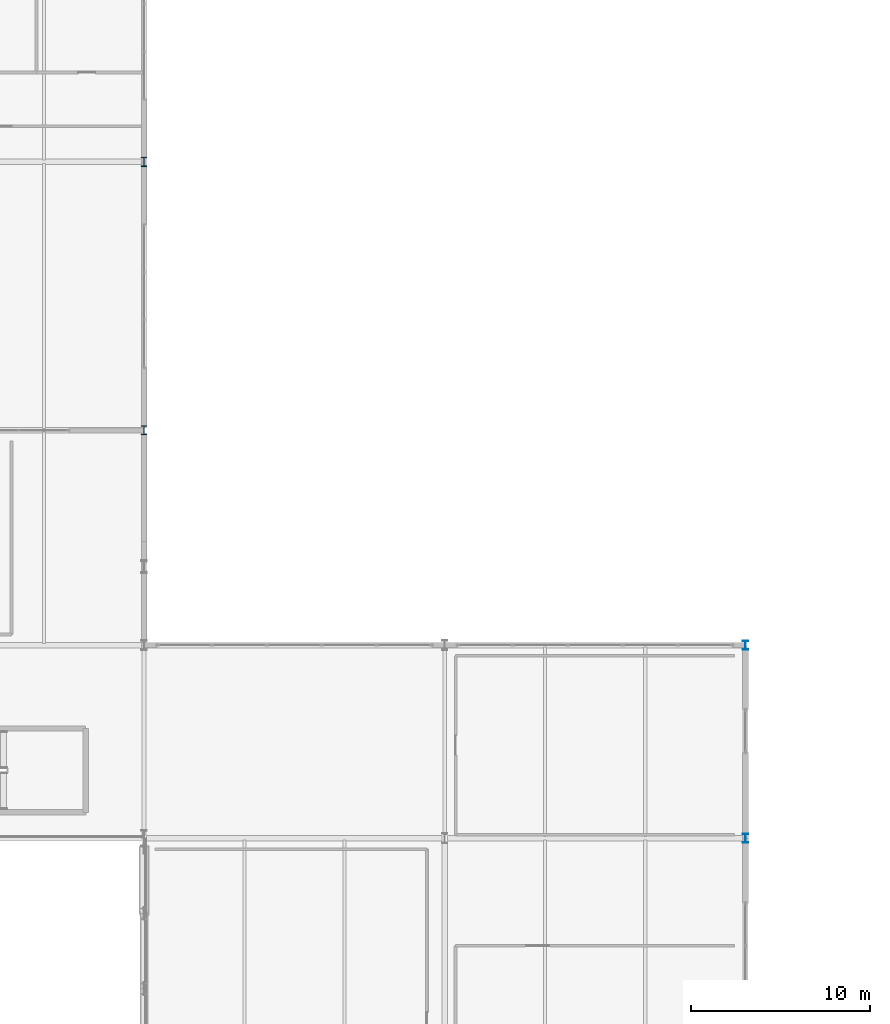
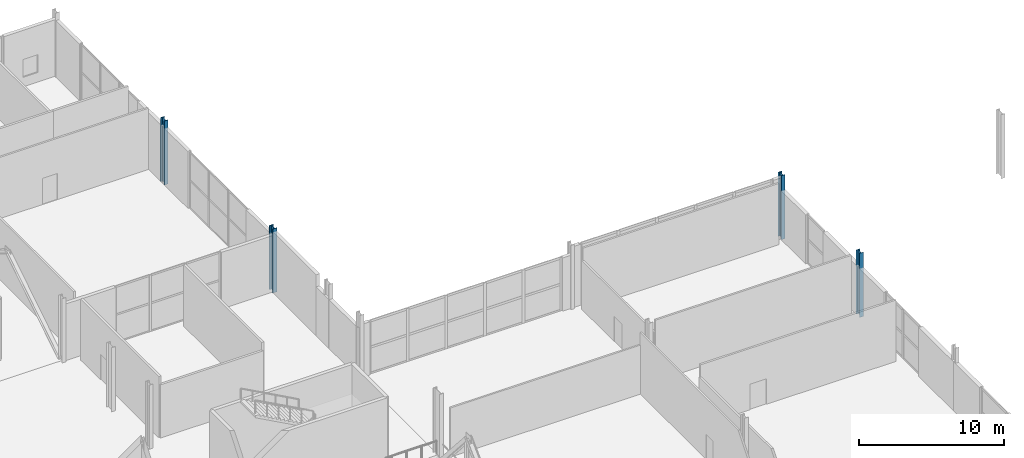
# One storey, part 14 of 84: 4 columns.
"""IFC4 building model written with IfcOpenShell, lengths in metres."""

from ifc_helpers import new_model, si_unit, direction, frame, origin, origin_2d, place, context, subcontext, project, spatial, i_section, extrude, material, material_profile, profile_set, type_object, element, save


model = new_model("IFC4")

# Units and contexts
model_context = context("Model", 3, precision=1e-05, world=origin(), true_north=direction((0.0, 1.0)))
body_context = subcontext(model_context, "Body", "Model", "MODEL_VIEW")
ifc_project = project(units=[si_unit("LENGTHUNIT", "METRE"), si_unit("AREAUNIT", "SQUARE_METRE"), si_unit("VOLUMEUNIT", "CUBIC_METRE"), si_unit("PLANEANGLEUNIT", "RADIAN"), si_unit("MASSUNIT", "GRAM", prefix="KILO")], contexts=[model_context])

# Site, building, storey
site_placement = place(None, origin())
site = spatial("IfcSite", under=ifc_project, at=site_placement, CompositionType="ELEMENT")
building_placement = place(site_placement, origin())
building = spatial("IfcBuilding", under=site, at=building_placement, Name="Kimbaza Rail Terminus", CompositionType="ELEMENT")
storey_placement = place(building_placement, frame((0.0, 0.0, 5.39990234375)))
storey = spatial("IfcBuildingStorey", under=building, at=storey_placement, Name="L01", CompositionType="ELEMENT", Elevation=5.39990234375)

# Columns
ifc_material_1 = material(Name="Steel S355", Category="steel")
ifc_material_profile_1 = material_profile(ifc_material_1, i_section(OverallWidth=0.300048828125, OverallDepth=0.5, WebThickness=0.014404296875, FlangeThickness=0.028076171875, FilletRadius=0.027099609375, at=origin_2d()), Name="HEB 500")
ifc_profile_set_1 = profile_set([ifc_material_profile_1], Name="Steel S355")
column_type_1 = type_object("IfcColumnType", Name="STR-COL-HEB500", PredefinedType="COLUMN", material=ifc_profile_set_1)
for number, where, z_axis, x_axis, name in (
    (1, (189.60009765625, 80.199951171875, 0.0), (0.0, 0.0, 1.0), (1.0, 0.0, 0.0), "Concourse Outer Wing Column L01"),
    (2, (189.60009765625, 91.0, 0.0), (0.0, 0.0, 1.0), (1.0, 0.0, 0.0), "Concourse Outer Wing Column L01"),
):
    element("IfcColumn", number, at=place(storey_placement, frame(where, z_axis=z_axis, x_axis=x_axis)), inside=storey, type_object=column_type_1, Name=name, PredefinedType="COLUMN", context=body_context, shape_type="SweptSolid", body=[
        extrude(i_section(OverallWidth=0.300048828125, OverallDepth=0.5, WebThickness=0.014404296875, FlangeThickness=0.028076171875, FilletRadius=0.027099609375, at=origin_2d()), origin(), (0.0, 0.0, 1.0), 5.400146484375),
    ])
ifc_material_2 = material(Name="Steel S355", Category="steel")
ifc_material_profile_2 = material_profile(ifc_material_2, i_section(OverallWidth=0.305908203125, OverallDepth=0.52392578125, WebThickness=0.02099609375, FlangeThickness=0.0400390625, FilletRadius=0.027099609375, at=origin_2d()), Name="HEM 500")
ifc_profile_set_2 = profile_set([ifc_material_profile_2], Name="Steel S355")
column_type_2 = type_object("IfcColumnType", Name="STR-COL-HEM500", PredefinedType="COLUMN", material=ifc_profile_set_2)
for number, where, z_axis, x_axis, name in (
    (3, (156.0, 103.0, 0.0), (0.0, 0.0, 1.0), (1.0, 0.0, 0.0), "Operations Column L01 (6,0)"),
    (4, (156.0, 118.0, 0.0), (0.0, 0.0, 1.0), (1.0, 0.0, 0.0), "Operations Column L01 (6,1)"),
):
    element("IfcColumn", number, at=place(storey_placement, frame(where, z_axis=z_axis, x_axis=x_axis)), inside=storey, type_object=column_type_2, Name=name, PredefinedType="COLUMN", context=body_context, shape_type="SweptSolid", body=[
        extrude(i_section(OverallWidth=0.305908203125, OverallDepth=0.52392578125, WebThickness=0.02099609375, FlangeThickness=0.0400390625, FilletRadius=0.027099609375, at=origin_2d()), origin(), (0.0, 0.0, 1.0), 5.400146484375),
    ])

save(model, "model.ifc")
